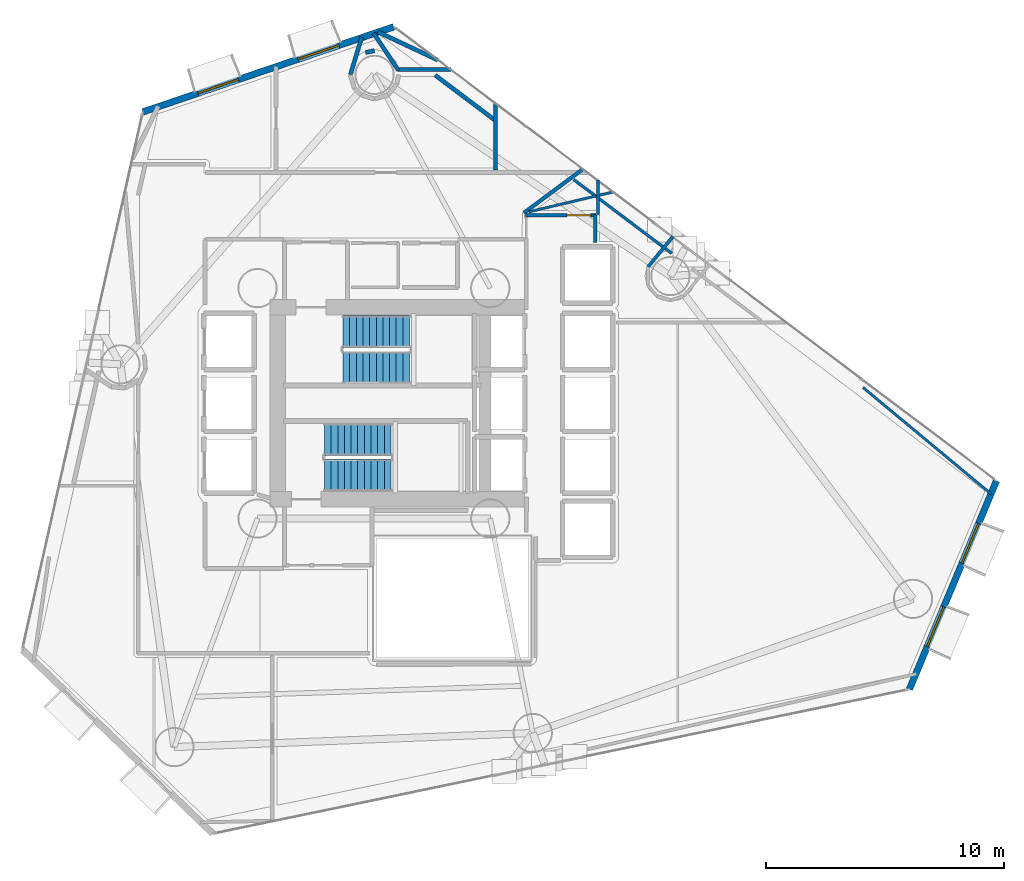
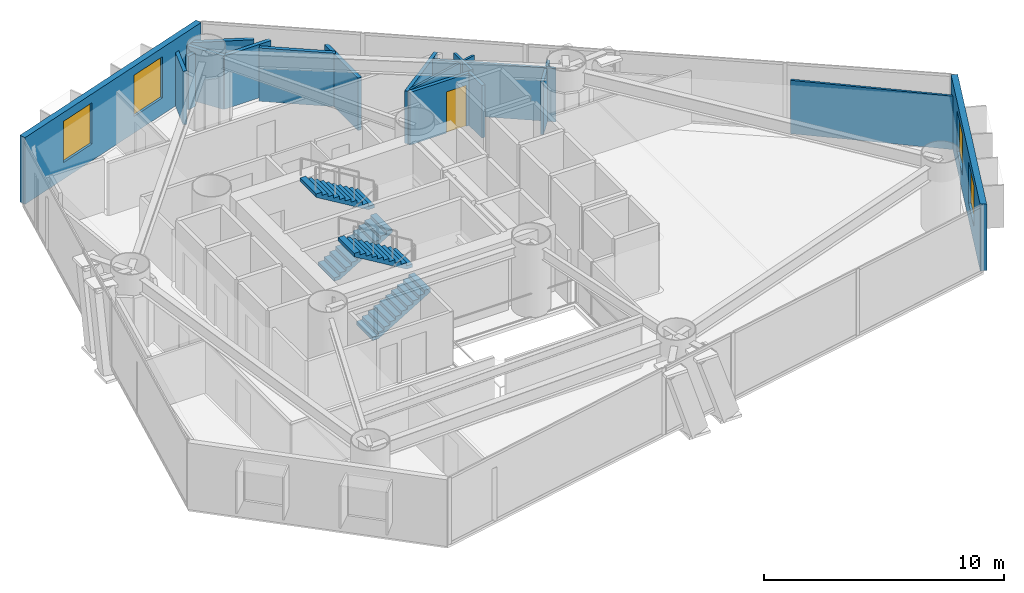
# One storey, part 18 of 22: 17 walls, 4 stair flights, 4 windows, 1 door, 5 openings, 2 elements without a shape of their own.
"""IFC4 building model written with IfcOpenShell, lengths in metres."""

from ifc_helpers import new_model, si_unit, direction, frame, frame_2d, origin, place, context, subcontext, project, spatial, polyline, rectangle, outline, extrude, material, layer, layer_set, type_object, element, fill, aggregate, save


model = new_model("IFC4")

# Units and contexts
model_context = context("Model", 3, precision=1e-05, world=origin(), true_north=direction((0.0, 1.0)))
body_context = subcontext(model_context, "Body", "Model", "MODEL_VIEW")
ifc_project = project(units=[si_unit("LENGTHUNIT", "METRE"), si_unit("AREAUNIT", "SQUARE_METRE"), si_unit("VOLUMEUNIT", "CUBIC_METRE"), si_unit("PLANEANGLEUNIT", "RADIAN"), si_unit("MASSUNIT", "GRAM", prefix="KILO")], contexts=[model_context])

# Site, building, storey
site_placement = place(None, origin())
site = spatial("IfcSite", under=ifc_project, at=site_placement, CompositionType="ELEMENT")
building_placement = place(site_placement, origin())
building = spatial("IfcBuilding", under=site, at=building_placement, Name="Qianvela Tower", CompositionType="ELEMENT")
storey_placement = place(building_placement, frame((0.0, 0.0, 89.5)))
storey = spatial("IfcBuildingStorey", under=building, at=storey_placement, Name="L22", CompositionType="ELEMENT", Elevation=89.5)

# Wall, openings, windows
ifc_material_1 = material(Name="Terracotta Cladding on Concrete C40", Category="masonry")
ifc_layer_1 = layer(ifc_material_1, 0.280029296875)
ifc_layer_set_1 = layer_set([ifc_layer_1], Name="Terracotta Cladding on Concrete C40")
wall_type_1 = type_object("IfcWallType", Name="TERRACOTTA-WALL-280", PredefinedType="SOLIDWALL", material=ifc_layer_set_1)
wall_1_placement = place(storey_placement, frame((56.048583984375, 16.658447265625, 0.0), z_axis=(0.0, 0.0, 1.0), x_axis=(0.385315354851, 0.922784957244, 0.0)))
wall_1 = element("IfcWall", 1, at=wall_1_placement, inside=storey, type_object=wall_type_1, Name="L22 Terracotta Chamfer Facet Wall 1", PredefinedType="SOLIDWALL", context=body_context, shape_type="SweptSolid", body=[
    extrude(rectangle(XDim=9.508544921875, YDim=0.280029296875, at=frame_2d((4.75439453125, 0.0))), origin(), (0.0, 0.0, 1.0), 3.39990234375),
])
opening_1_placement = place(wall_1_placement, frame((1.952392578125, 0.0, 0.85009765625)))
opening_1 = element("IfcOpeningElement", 2, at=opening_1_placement, cuts=wall_1, Name="Opening W-01", PredefinedType="OPENING", context=body_context, shape_type="SweptSolid", body=[
    extrude(rectangle(XDim=1.800048828125, YDim=2.10009765625, at=frame_2d((0.89990234375, 1.050048828125))), frame((0.0, 0.14990234375, 0.0), z_axis=(0.0, -1.0, 0.0), x_axis=(1.0, 0.0, 0.0)), (0.0, 0.0, 1.0), 0.300048828125),
])
opening_2_placement = place(wall_1_placement, frame((5.755859375, 0.0, 0.85009765625)))
opening_2 = element("IfcOpeningElement", 3, at=opening_2_placement, cuts=wall_1, Name="Opening W-01", PredefinedType="OPENING", context=body_context, shape_type="SweptSolid", body=[
    extrude(rectangle(XDim=1.800048828125, YDim=2.10009765625, at=frame_2d((0.89990234375, 1.050048828125))), frame((0.0, 0.14990234375, 0.0), z_axis=(0.0, -1.0, 0.0), x_axis=(1.0, 0.0, 0.0)), (0.0, 0.0, 1.0), 0.300048828125),
])
ifc_material_2 = material(Name="Thermally Broken Aluminium and Low-E Glass", Category="aluminium")
window_type = type_object("IfcWindowType", Name="WIN-TC-1800x2100", PartitioningType="DOUBLE_PANEL_VERTICAL", PredefinedType="WINDOW", material=ifc_material_2)
window_1_placement = place(opening_1_placement, origin())
window_1 = element("IfcWindow", 4, at=window_1_placement, inside=storey, type_object=window_type, Name="L22 Chamfer Facet Window 1.1", OverallHeight=2.10009765625, OverallWidth=1.800048828125, PartitioningType="SINGLE_PANEL", PredefinedType="WINDOW", context=body_context, shape_type="SweptSolid", body=[
    extrude(rectangle(XDim=1.800048828125, YDim=2.10009765625, at=frame_2d((0.89990234375, 1.050048828125))), frame((0.0, 0.030029296875, 0.0), z_axis=(0.0, -1.0, 0.0), x_axis=(1.0, 0.0, 0.0)), (0.0, 0.0, 1.0), 0.06005859375),
])
fill(opening_1, window_1)
window_2_placement = place(opening_2_placement, origin())
window_2 = element("IfcWindow", 5, at=window_2_placement, inside=storey, type_object=window_type, Name="L22 Chamfer Facet Window 1.2", OverallHeight=2.10009765625, OverallWidth=1.800048828125, PartitioningType="SINGLE_PANEL", PredefinedType="WINDOW", context=body_context, shape_type="SweptSolid", body=[
    extrude(rectangle(XDim=1.800048828125, YDim=2.10009765625, at=frame_2d((0.89990234375, 1.050048828125))), frame((0.0, 0.030029296875, 0.0), z_axis=(0.0, -1.0, 0.0), x_axis=(1.0, 0.0, 0.0)), (0.0, 0.0, 1.0), 0.06005859375),
])
fill(opening_2, window_2)

wall_2_placement = place(storey_placement, frame((34.331787109375, 44.553466796875, 0.0), z_axis=(0.0, 0.0, 1.0), x_axis=(-0.946952159866, -0.321374558615, 0.0)))
wall_2 = element("IfcWall", 6, at=wall_2_placement, inside=storey, type_object=wall_type_1, Name="L22 Terracotta Chamfer Facet Wall 3", PredefinedType="SOLIDWALL", context=body_context, shape_type="SweptSolid", body=[
    extrude(rectangle(XDim=11.146728515625, YDim=0.280029296875, at=frame_2d((5.5732421875, 0.0))), origin(), (0.0, 0.0, 1.0), 3.39990234375),
])
opening_3_placement = place(wall_2_placement, frame((2.444091796875, 0.0, 0.85009765625)))
opening_3 = element("IfcOpeningElement", 7, at=opening_3_placement, cuts=wall_2, Name="Opening W-01", PredefinedType="OPENING", context=body_context, shape_type="SweptSolid", body=[
    extrude(rectangle(XDim=1.800048828125, YDim=2.10009765625, at=frame_2d((0.89990234375, 1.050048828125))), frame((0.0, 0.14990234375, 0.0), z_axis=(0.0, -1.0, 0.0), x_axis=(1.0, 0.0, 0.0)), (0.0, 0.0, 1.0), 0.300048828125),
])
opening_4_placement = place(wall_2_placement, frame((6.90283203125, 0.0, 0.85009765625)))
opening_4 = element("IfcOpeningElement", 8, at=opening_4_placement, cuts=wall_2, Name="Opening W-01", PredefinedType="OPENING", context=body_context, shape_type="SweptSolid", body=[
    extrude(rectangle(XDim=1.800048828125, YDim=2.10009765625, at=frame_2d((0.89990234375, 1.050048828125))), frame((0.0, 0.14990234375, 0.0), z_axis=(0.0, -1.0, 0.0), x_axis=(1.0, 0.0, 0.0)), (0.0, 0.0, 1.0), 0.300048828125),
])
window_3_placement = place(opening_3_placement, origin())
window_3 = element("IfcWindow", 9, at=window_3_placement, inside=storey, type_object=window_type, Name="L22 Chamfer Facet Window 3.1", OverallHeight=2.10009765625, OverallWidth=1.800048828125, PartitioningType="SINGLE_PANEL", PredefinedType="WINDOW", context=body_context, shape_type="SweptSolid", body=[
    extrude(rectangle(XDim=1.800048828125, YDim=2.10009765625, at=frame_2d((0.89990234375, 1.050048828125))), frame((0.0, 0.030029296875, 0.0), z_axis=(0.0, -1.0, 0.0), x_axis=(1.0, 0.0, 0.0)), (0.0, 0.0, 1.0), 0.06005859375),
])
fill(opening_3, window_3)
window_4_placement = place(opening_4_placement, origin())
window_4 = element("IfcWindow", 10, at=window_4_placement, inside=storey, type_object=window_type, Name="L22 Chamfer Facet Window 3.2", OverallHeight=2.10009765625, OverallWidth=1.800048828125, PartitioningType="SINGLE_PANEL", PredefinedType="WINDOW", context=body_context, shape_type="SweptSolid", body=[
    extrude(rectangle(XDim=1.800048828125, YDim=2.10009765625, at=frame_2d((0.89990234375, 1.050048828125))), frame((0.0, 0.030029296875, 0.0), z_axis=(0.0, -1.0, 0.0), x_axis=(1.0, 0.0, 0.0)), (0.0, 0.0, 1.0), 0.06005859375),
])
fill(opening_4, window_4)

# Wall, opening, door
ifc_material_3 = material(Name="Fire-Rated Gypsum and Concrete Block", Category="concrete")
ifc_layer_2 = layer(ifc_material_3, 0.159912109375)
ifc_layer_set_2 = layer_set([ifc_layer_2], Name="Fire-Rated Gypsum and Concrete Block")
wall_type_2 = type_object("IfcWallType", Name="WT-CORR-160", PredefinedType="PARTITIONING", material=ifc_layer_set_2)
wall_3_placement = place(storey_placement, frame((39.8798828125, 36.618896484375, 0.0), z_axis=(0.0, 0.0, 1.0), x_axis=(1.0, 0.0, 0.0)))
wall_3 = element("IfcWall", 11, at=wall_3_placement, inside=storey, type_object=wall_type_2, Name="L22 Partition 11", PredefinedType="PARTITIONING", context=body_context, shape_type="SweptSolid", body=[
    extrude(rectangle(XDim=2.97021484375, YDim=0.159912109375, at=frame_2d((1.485107421875, 0.0))), origin(), (0.0, 0.0, 1.0), 2.677978515625),
])
opening_5_placement = place(wall_3_placement, frame((1.760009765625, 0.0, 0.0)))
opening_5 = element("IfcOpeningElement", 12, at=opening_5_placement, cuts=wall_3, Name="Opening D-RM1", PredefinedType="OPENING", context=body_context, shape_type="SweptSolid", body=[
    extrude(rectangle(XDim=0.97998046875, YDim=2.10009765625, at=frame_2d((0.489990234375, 1.050048828125))), frame((0.0, 0.08984375, 0.0), z_axis=(0.0, -1.0, 0.0), x_axis=(1.0, 0.0, 0.0)), (0.0, 0.0, 1.0), 0.179931640625),
])
ifc_material_4 = material(Name="Solid Core Acoustic Timber Fire Door", Category="wood")
door_type = type_object("IfcDoorType", Name="DT-ROOM-FD60", OperationType="NOTDEFINED", PredefinedType="DOOR", material=ifc_material_4)
door_placement = place(opening_5_placement, origin())
door = element("IfcDoor", 13, at=door_placement, inside=storey, type_object=door_type, Name="L22 Door Digital Research Office L22-03 to L22 Lift Lobby", OperationType="SINGLE_SWING_LEFT", OverallHeight=2.10009765625, OverallWidth=0.97998046875, PredefinedType="DOOR", context=body_context, shape_type="SweptSolid", body=[
    extrude(rectangle(XDim=0.97998046875, YDim=2.10009765625, at=frame_2d((0.489990234375, 1.050048828125))), frame((0.0, 0.02490234375, 0.0), z_axis=(0.0, -1.0, 0.0), x_axis=(1.0, 0.0, 0.0)), (0.0, 0.0, 1.0), 0.050048828125),
])
fill(opening_5, door)

# Walls
wall_4_placement = place(storey_placement, frame((42.819091796875, 36.64990234375, 0.0), z_axis=(0.0, 0.0, 1.0), x_axis=(0.0, -1.0, 0.0)))
element("IfcWall", 14, at=wall_4_placement, inside=storey, type_object=wall_type_2, Name="L22 Partition 12", PredefinedType="PARTITIONING", context=body_context, shape_type="SweptSolid", body=[
    extrude(rectangle(XDim=1.169921875, YDim=0.159912109375, at=frame_2d((0.5849609375, 0.0))), origin(), (0.0, 0.0, 1.0), 2.677978515625),
])
wall_5_placement = place(storey_placement, frame((42.30908203125, 38.56787109375, 0.0), z_axis=(0.0, 0.0, 1.0), x_axis=(-0.802734180395, -0.596337015139, 0.0)))
element("IfcWall", 15, at=wall_5_placement, inside=storey, type_object=wall_type_2, Name="L22 Partition 43", PredefinedType="PARTITIONING", context=body_context, shape_type="SweptSolid", body=[
    extrude(rectangle(XDim=3.108642578125, YDim=0.159912109375, at=frame_2d((1.55419921875, 0.0))), origin(), (0.0, 0.0, 1.0), 2.677978515625),
])
ifc_material_5 = material(Name="Lightweight Gypsum Room Partition")
ifc_layer_3 = layer(ifc_material_5, 0.10498046875)
ifc_layer_set_3 = layer_set([ifc_layer_3], Name="Lightweight Gypsum Room Partition")
wall_type_3 = type_object("IfcWallType", Name="WT-PART-105", PredefinedType="PARTITIONING", material=ifc_layer_set_3)
wall_6_placement = place(storey_placement, frame((54.094482421875, 29.364501953125, 0.0), z_axis=(0.0, 0.0, 1.0), x_axis=(0.769046397642, -0.639192958561, 0.0)))
element("IfcWall", 16, at=wall_6_placement, inside=storey, type_object=wall_type_3, Name="L22 Partition 69 seg 1", PredefinedType="PARTITIONING", context=body_context, shape_type="SweptSolid", body=[
    extrude(rectangle(XDim=7.02783203125, YDim=0.10498046875, at=frame_2d((3.513916015625, 0.0))), origin(), (0.0, 0.0, 1.0), 2.719970703125),
])
wall_7_placement = place(storey_placement, frame((43.564697265625, 37.597900390625, 0.0), z_axis=(0.0, 0.0, 1.0), x_axis=(-0.973223353469, -0.229861489299, 0.0)))
element("IfcWall", 17, at=wall_7_placement, inside=storey, type_object=wall_type_3, Name="L22 Partition 78", PredefinedType="PARTITIONING", context=body_context, shape_type="SweptSolid", body=[
    extrude(rectangle(XDim=3.640869140625, YDim=0.10498046875, at=frame_2d((1.8203125, 0.0))), origin(), (0.0, 0.0, 1.0), 2.677978515625),
])
ifc_material_6 = material(Name="Insulated Gypsum Stud Partition")
ifc_layer_4 = layer(ifc_material_6, 0.1201171875)
ifc_layer_set_4 = layer_set([ifc_layer_4], Name="Insulated Gypsum Stud Partition")
wall_type_4 = type_object("IfcWallType", Name="WT-PART-120", PredefinedType="PARTITIONING", material=ifc_layer_set_4)
wall_8_placement = place(storey_placement, frame((42.943115234375, 36.64990234375, 0.0), z_axis=(0.0, 0.0, 1.0), x_axis=(-0.005924066662, 0.999982452563, 0.0)))
element("IfcWall", 18, at=wall_8_placement, inside=storey, type_object=wall_type_4, Name="L22 Partition 77 seg 2", PredefinedType="PARTITIONING", context=body_context, shape_type="SweptSolid", body=[
    extrude(rectangle(XDim=1.4423828125, YDim=0.1201171875, at=frame_2d((0.72119140625, 0.0))), origin(), (0.0, 0.0, 1.0), 2.719970703125),
])
wall_9_placement = place(storey_placement, frame((41.907958984375, 38.124755859375, 0.0), z_axis=(0.0, 0.0, 1.0), x_axis=(0.798702253017, -0.60172644202, 0.0)))
element("IfcWall", 19, at=wall_9_placement, inside=storey, type_object=wall_type_4, Name="L22 Partition 80", PredefinedType="PARTITIONING", context=body_context, shape_type="SweptSolid", body=[
    extrude(rectangle(XDim=5.17724609375, YDim=0.1201171875, at=frame_2d((2.588623046875, 0.0))), origin(), (0.0, 0.0, 1.0), 2.719970703125),
])
ifc_material_7 = material(Name="Moisture-Resistant Acoustic Plumbing Wall")
ifc_layer_5 = layer(ifc_material_7, 0.175048828125)
ifc_layer_set_5 = layer_set([ifc_layer_5], Name="Moisture-Resistant Acoustic Plumbing Wall")
wall_type_5 = type_object("IfcWallType", Name="WT-PLUMB-175", PredefinedType="PLUMBINGWALL", material=ifc_layer_set_5)
wall_10_placement = place(storey_placement, frame((33.656005859375, 44.341552734375, 0.0), z_axis=(0.0, 0.0, 1.0), x_axis=(0.905579565103, -0.42417643884, 0.0)))
element("IfcWall", 20, at=wall_10_placement, inside=storey, type_object=wall_type_5, Name="L22 Partition 93", PredefinedType="PLUMBINGWALL", context=body_context, shape_type="SweptSolid", body=[
    extrude(rectangle(XDim=2.79443359375, YDim=0.175048828125, at=frame_2d((1.397216796875, 0.0))), origin(), (0.0, 0.0, 1.0), 2.719970703125),
])
wall_11_placement = place(storey_placement, frame((36.740478515625, 42.754150390625, 0.0), z_axis=(0.0, 0.0, 1.0), x_axis=(-0.999996880442, -0.002497820184, 0.0)))
element("IfcWall", 21, at=wall_11_placement, inside=storey, type_object=wall_type_5, Name="L22 Partition 94", PredefinedType="PLUMBINGWALL", context=body_context, shape_type="SweptSolid", body=[
    extrude(rectangle(XDim=2.248046875, YDim=0.175048828125, at=frame_2d((1.1240234375, 0.0))), origin(), (0.0, 0.0, 1.0), 2.719970703125),
])
wall_12_placement = place(storey_placement, frame((34.518310546875, 42.734619140625, 0.0), z_axis=(0.0, 0.0, 1.0), x_axis=(-0.553581470988, 0.832795025789, 0.0)))
element("IfcWall", 22, at=wall_12_placement, inside=storey, type_object=wall_type_5, Name="L22 Partition 95", PredefinedType="PLUMBINGWALL", context=body_context, shape_type="SweptSolid", body=[
    extrude(rectangle(XDim=1.8642578125, YDim=0.175048828125, at=frame_2d((0.93212890625, 0.0))), origin(), (0.0, 0.0, 1.0), 2.719970703125),
])
wall_13_placement = place(storey_placement, frame((33.52001953125, 43.54443359375, 0.0), z_axis=(0.0, 0.0, 1.0), x_axis=(-0.980799947725, -0.195016569917, 0.0)))
element("IfcWall", 23, at=wall_13_placement, inside=storey, type_object=wall_type_5, Name="L22 Partition 97", PredefinedType="PLUMBINGWALL", context=body_context, shape_type="SweptSolid", body=[
    extrude(rectangle(XDim=0.38427734375, YDim=0.175048828125, at=frame_2d((0.192138671875, 0.0))), origin(), (0.0, 0.0, 1.0), 2.719970703125),
])
wall_14_placement = place(storey_placement, frame((32.98974609375, 44.115234375, 0.0), z_axis=(0.0, 0.0, 1.0), x_axis=(-0.290336280759, -0.956924680461, 0.0)))
element("IfcWall", 24, at=wall_14_placement, inside=storey, type_object=wall_type_5, Name="L22 Partition 99", PredefinedType="PLUMBINGWALL", context=body_context, shape_type="SweptSolid", body=[
    extrude(rectangle(XDim=1.648193359375, YDim=0.175048828125, at=frame_2d((0.82421875, 0.0))), origin(), (0.0, 0.0, 1.0), 2.719970703125),
])
wall_15_placement = place(storey_placement, frame((36.078125, 42.5166015625, 0.0), z_axis=(0.0, 0.0, 1.0), x_axis=(0.798764872269, -0.601643315286, 0.0)))
element("IfcWall", 25, at=wall_15_placement, inside=storey, type_object=wall_type_5, Name="L22 Partition 107", PredefinedType="PLUMBINGWALL", context=body_context, shape_type="SweptSolid", body=[
    extrude(rectangle(XDim=3.20654296875, YDim=0.175048828125, at=frame_2d((1.603271484375, 0.0))), origin(), (0.0, 0.0, 1.0), 2.719970703125),
])
wall_16_placement = place(storey_placement, frame((38.626953125, 41.337646484375, 0.0), z_axis=(0.0, 0.0, 1.0), x_axis=(0.0, -1.0, 0.0)))
element("IfcWall", 26, at=wall_16_placement, inside=storey, type_object=wall_type_5, Name="L22 Partition 108", PredefinedType="PLUMBINGWALL", context=body_context, shape_type="SweptSolid", body=[
    extrude(rectangle(XDim=2.8076171875, YDim=0.175048828125, at=frame_2d((1.40380859375, 0.0))), origin(), (0.0, 0.0, 1.0), 2.677978515625),
])
ifc_material_8 = material(Name="Acoustic Double Gypsum Stud Partition")
ifc_layer_6 = layer(ifc_material_8, 0.139892578125)
ifc_layer_set_6 = layer_set([ifc_layer_6], Name="Acoustic Double Gypsum Stud Partition")
wall_type_6 = type_object("IfcWallType", Name="WT-ROOM-140", PredefinedType="PARTITIONING", material=ifc_layer_set_6)
wall_17_placement = place(storey_placement, frame((46.089599609375, 35.720703125, 0.0), z_axis=(0.0, 0.0, 1.0), x_axis=(-0.634275522156, -0.773107083135, 0.0)))
element("IfcWall", 27, at=wall_17_placement, inside=storey, type_object=wall_type_6, Name="L22 Partition 82", PredefinedType="PARTITIONING", context=body_context, shape_type="SweptSolid", body=[
    extrude(rectangle(XDim=1.638916015625, YDim=0.139892578125, at=frame_2d((0.8193359375, 0.0))), origin(), (0.0, 0.0, 1.0), 2.677978515625),
])

# Stair, stair flights
ifc_material_9 = material(Name="Concrete C40", Category="concrete")
stair_type = type_object("IfcStairType", Name="ST-DOGLEG-1350-R168-N22", PredefinedType="HALF_TURN_STAIR", material=ifc_material_9)
stair_1_placement = place(storey_placement, origin())
stair_1 = element("IfcStair", 28, at=stair_1_placement, inside=storey, type_object=stair_type, Name="L22 Smoke-Proof Core Stair ST-1", PredefinedType="HALF_TURN_STAIR")
ifc_material_10 = material(Name="Concrete C40", Category="concrete")
stair_flight_type = type_object("IfcStairFlightType", Name="STF-STRAIGHT-R168-P11", PredefinedType="STRAIGHT", material=ifc_material_10)
stair_flight_1_placement = place(storey_placement, frame((32.199951171875, 30.215087890625, 0.0), z_axis=(0.0, 0.0, 1.0), x_axis=(1.0, 0.0, 0.0)))
stair_flight_1 = element("IfcStairFlight", 29, at=stair_flight_1_placement, type_object=stair_flight_type, Name="ST-1 flight 1", NumberOfRisers=11, NumberOfTreads=10, PredefinedType="STRAIGHT", RiserHeight=0.168181818, TreadLength=0.28, context=body_context, shape_type="SweptSolid", body=[
    extrude(outline(polyline([(0.0, 0.0), (0.0, 0.168212890625), (0.280029296875, 0.168212890625), (0.280029296875, 0.33642578125), (0.56005859375, 0.33642578125), (0.56005859375, 0.504638671875), (0.840087890625, 0.504638671875), (0.840087890625, 0.672607421875), (1.1201171875, 0.672607421875), (1.1201171875, 0.8408203125), (1.39990234375, 0.8408203125), (1.39990234375, 1.009033203125), (1.679931640625, 1.009033203125), (1.679931640625, 1.17724609375), (1.9599609375, 1.17724609375), (1.9599609375, 1.345458984375), (2.239990234375, 1.345458984375), (2.239990234375, 1.513671875), (2.52001953125, 1.513671875), (2.52001953125, 1.681884765625), (2.800048828125, 1.681884765625), (2.800048828125, 1.85009765625), (2.800048828125, 1.5068359375), (0.291015625, 0.0), (0.0, 0.0)])), frame((0.0, 0.675048828125, 0.0), z_axis=(0.0, -1.0, 0.0), x_axis=(1.0, 0.0, 0.0)), (0.0, 0.0, 1.0), 1.35009765625),
])
stair_flight_2_placement = place(storey_placement, frame((35.0, 31.72509765625, 1.85009765625), z_axis=(0.0, 0.0, 1.0), x_axis=(-1.0, 0.0, 0.0)))
stair_flight_2 = element("IfcStairFlight", 30, at=stair_flight_2_placement, type_object=stair_flight_type, Name="ST-1 flight 2", NumberOfRisers=11, NumberOfTreads=10, PredefinedType="STRAIGHT", RiserHeight=0.168181818, TreadLength=0.28, context=body_context, shape_type="SweptSolid", body=[
    extrude(outline(polyline([(0.0, 0.0), (0.0, 0.168212890625), (0.280029296875, 0.168212890625), (0.280029296875, 0.33642578125), (0.56005859375, 0.33642578125), (0.56005859375, 0.504638671875), (0.840087890625, 0.504638671875), (0.840087890625, 0.672607421875), (1.1201171875, 0.672607421875), (1.1201171875, 0.8408203125), (1.39990234375, 0.8408203125), (1.39990234375, 1.009033203125), (1.679931640625, 1.009033203125), (1.679931640625, 1.17724609375), (1.9599609375, 1.17724609375), (1.9599609375, 1.345458984375), (2.239990234375, 1.345458984375), (2.239990234375, 1.513671875), (2.52001953125, 1.513671875), (2.52001953125, 1.681884765625), (2.800048828125, 1.681884765625), (2.800048828125, 1.85009765625), (2.800048828125, 1.5068359375), (0.291015625, 0.0), (0.0, 0.0)])), frame((0.0, 0.675048828125, 0.0), z_axis=(0.0, -1.0, 0.0), x_axis=(1.0, 0.0, 0.0)), (0.0, 0.0, 1.0), 1.35009765625),
])
aggregate(stair_1, [stair_flight_1, stair_flight_2])

stair_2_placement = place(storey_placement, origin())
stair_2 = element("IfcStair", 31, at=stair_2_placement, inside=storey, type_object=stair_type, Name="L22 Smoke-Proof Core Stair ST-2", PredefinedType="HALF_TURN_STAIR")
stair_flight_3_placement = place(storey_placement, frame((31.419921875, 25.675048828125, 0.0), z_axis=(0.0, 0.0, 1.0), x_axis=(1.0, 0.0, 0.0)))
stair_flight_3 = element("IfcStairFlight", 32, at=stair_flight_3_placement, type_object=stair_flight_type, Name="ST-2 flight 1", NumberOfRisers=11, NumberOfTreads=10, PredefinedType="STRAIGHT", RiserHeight=0.168181818, TreadLength=0.28, context=body_context, shape_type="SweptSolid", body=[
    extrude(outline(polyline([(0.0, 0.0), (0.0, 0.168212890625), (0.280029296875, 0.168212890625), (0.280029296875, 0.33642578125), (0.56005859375, 0.33642578125), (0.56005859375, 0.504638671875), (0.840087890625, 0.504638671875), (0.840087890625, 0.672607421875), (1.1201171875, 0.672607421875), (1.1201171875, 0.8408203125), (1.39990234375, 0.8408203125), (1.39990234375, 1.009033203125), (1.679931640625, 1.009033203125), (1.679931640625, 1.17724609375), (1.9599609375, 1.17724609375), (1.9599609375, 1.345458984375), (2.239990234375, 1.345458984375), (2.239990234375, 1.513671875), (2.52001953125, 1.513671875), (2.52001953125, 1.681884765625), (2.800048828125, 1.681884765625), (2.800048828125, 1.85009765625), (2.800048828125, 1.5068359375), (0.291015625, 0.0), (0.0, 0.0)])), frame((0.0, 0.675048828125, 0.0), z_axis=(0.0, -1.0, 0.0), x_axis=(1.0, 0.0, 0.0)), (0.0, 0.0, 1.0), 1.35009765625),
])
stair_flight_4_placement = place(storey_placement, frame((34.219970703125, 27.18505859375, 1.85009765625), z_axis=(0.0, 0.0, 1.0), x_axis=(-1.0, 0.0, 0.0)))
stair_flight_4 = element("IfcStairFlight", 33, at=stair_flight_4_placement, type_object=stair_flight_type, Name="ST-2 flight 2", NumberOfRisers=11, NumberOfTreads=10, PredefinedType="STRAIGHT", RiserHeight=0.168181818, TreadLength=0.28, context=body_context, shape_type="SweptSolid", body=[
    extrude(outline(polyline([(0.0, 0.0), (0.0, 0.168212890625), (0.280029296875, 0.168212890625), (0.280029296875, 0.33642578125), (0.56005859375, 0.33642578125), (0.56005859375, 0.504638671875), (0.840087890625, 0.504638671875), (0.840087890625, 0.672607421875), (1.1201171875, 0.672607421875), (1.1201171875, 0.8408203125), (1.39990234375, 0.8408203125), (1.39990234375, 1.009033203125), (1.679931640625, 1.009033203125), (1.679931640625, 1.17724609375), (1.9599609375, 1.17724609375), (1.9599609375, 1.345458984375), (2.239990234375, 1.345458984375), (2.239990234375, 1.513671875), (2.52001953125, 1.513671875), (2.52001953125, 1.681884765625), (2.800048828125, 1.681884765625), (2.800048828125, 1.85009765625), (2.800048828125, 1.5068359375), (0.291015625, 0.0), (0.0, 0.0)])), frame((0.0, 0.675048828125, 0.0), z_axis=(0.0, -1.0, 0.0), x_axis=(1.0, 0.0, 0.0)), (0.0, 0.0, 1.0), 1.35009765625),
])
aggregate(stair_2, [stair_flight_3, stair_flight_4])

save(model, "model.ifc")
